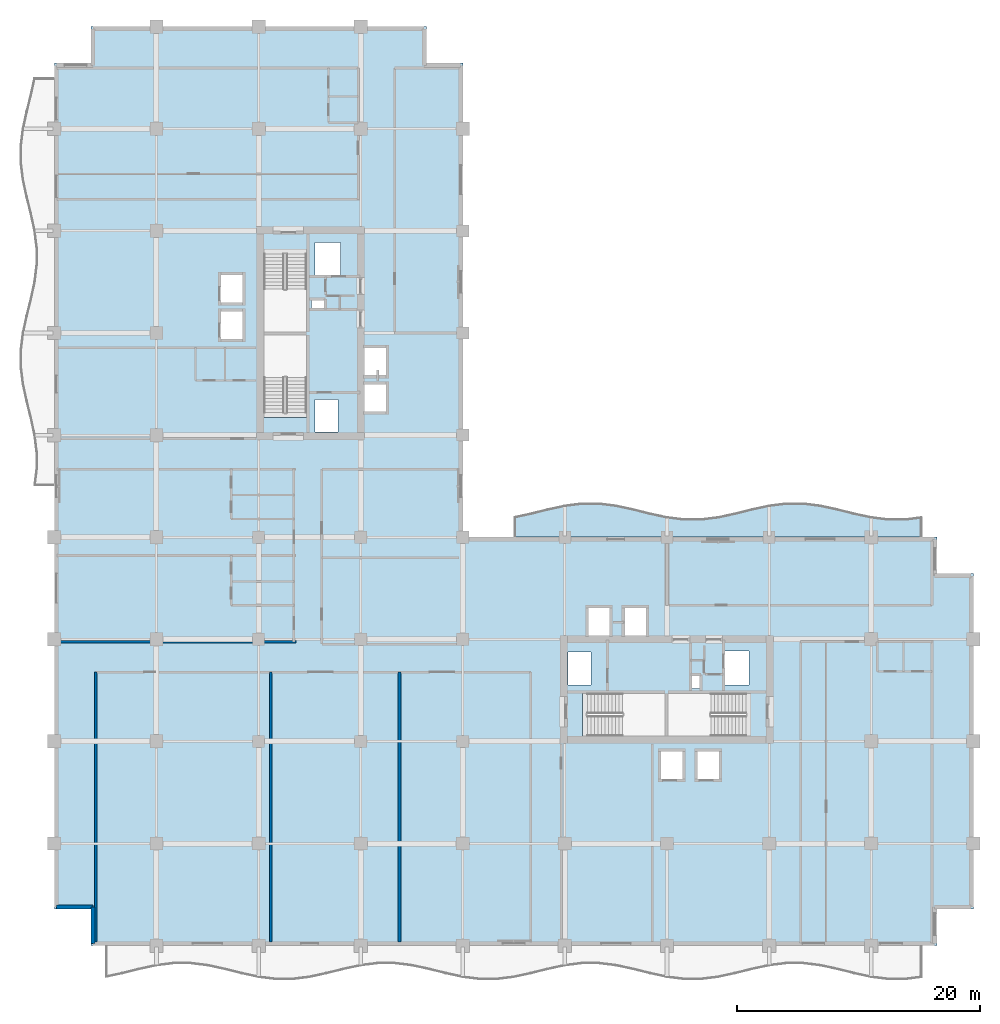
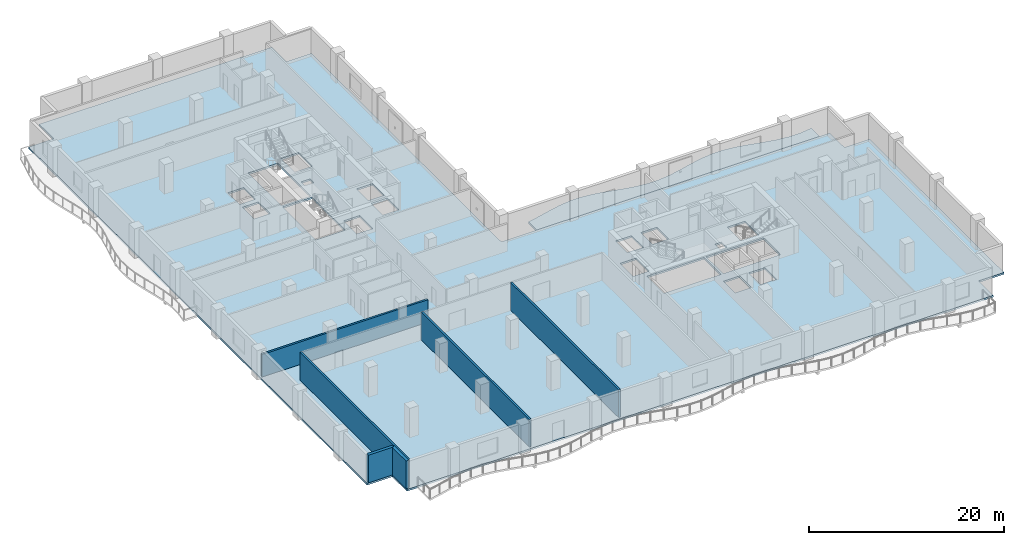
# One storey, part 3 of 15: 6 walls, 2 slabs.
"""IFC4 building model written with IfcOpenShell, lengths in metres."""

from ifc_helpers import new_model, si_unit, direction, frame, frame_2d, origin, place, context, subcontext, project, spatial, polyline, rectangle, outline, extrude, material, layer, layer_set, type_object, element, save


model = new_model("IFC4")

# Units and contexts
model_context = context("Model", 3, precision=1e-05, world=origin(), true_north=direction((0.0, 1.0)))
body_context = subcontext(model_context, "Body", "Model", "MODEL_VIEW")
ifc_project = project(units=[si_unit("LENGTHUNIT", "METRE"), si_unit("AREAUNIT", "SQUARE_METRE"), si_unit("VOLUMEUNIT", "CUBIC_METRE"), si_unit("PLANEANGLEUNIT", "RADIAN"), si_unit("MASSUNIT", "GRAM", prefix="KILO")], contexts=[model_context])

# Site, building, storey
site_placement = place(None, origin())
site = spatial("IfcSite", under=ifc_project, at=site_placement, CompositionType="ELEMENT")
building_placement = place(site_placement, origin())
building = spatial("IfcBuilding", under=site, at=building_placement, Name="Koriwani Terraces Tower", CompositionType="ELEMENT")
storey_placement = place(building_placement, frame((0.0, 0.0, 216.10009765625)))
storey = spatial("IfcBuildingStorey", under=building, at=storey_placement, Name="L53", CompositionType="ELEMENT", Elevation=216.10009765625)

# Slabs
ifc_material_1 = material(Name="Concrete C40/50", Category="concrete")
ifc_layer_1 = layer(ifc_material_1, 0.219970703125, Name="Concrete C40/50")
ifc_layer_set_1 = layer_set([ifc_layer_1], Name="Concrete C40/50")
slab_type_1 = type_object("IfcSlabType", Name="SLAB_BALCONY_220", PredefinedType="FLOOR", material=ifc_layer_set_1)
slab_1_placement = place(storey_placement, frame((0.0, 0.0, -0.22021484375)))
element("IfcSlab", 1, at=slab_1_placement, inside=storey, type_object=slab_type_1, Name="L53 Quilted Circular-Arc Balcony (NE)", PredefinedType="FLOOR", context=body_context, shape_type="SweptSolid", body=[
    extrude(outline(polyline([(71.39990234375, 33.60009765625), (70.0, 33.60009765625), (68.60009765625, 33.60009765625), (67.199951171875, 33.60009765625), (65.800048828125, 33.60009765625), (64.39990234375, 33.60009765625), (63.0, 33.60009765625), (61.60009765625, 33.60009765625), (60.199951171875, 33.60009765625), (58.800048828125, 33.60009765625), (57.39990234375, 33.60009765625), (56.0, 33.60009765625), (54.60009765625, 33.60009765625), (53.199951171875, 33.60009765625), (51.800048828125, 33.60009765625), (50.39990234375, 33.60009765625), (49.0, 33.60009765625), (47.60009765625, 33.60009765625), (46.199951171875, 33.60009765625), (44.800048828125, 33.60009765625), (43.39990234375, 33.60009765625), (42.0, 33.60009765625), (40.60009765625, 33.60009765625), (39.199951171875, 33.60009765625), (37.800048828125, 33.60009765625), (37.800048828125, 35.297607421875), (39.199951171875, 35.600341796875), (40.60009765625, 35.94970703125), (42.0, 36.252197265625), (43.39990234375, 36.427001953125), (44.800048828125, 36.427001953125), (46.199951171875, 36.252197265625), (47.60009765625, 35.94970703125), (49.0, 35.600341796875), (50.39990234375, 35.297607421875), (51.800048828125, 35.123046875), (53.199951171875, 35.123046875), (54.60009765625, 35.297607421875), (56.0, 35.600341796875), (57.39990234375, 35.94970703125), (58.800048828125, 36.252197265625), (60.199951171875, 36.427001953125), (61.60009765625, 36.427001953125), (63.0, 36.252197265625), (64.39990234375, 35.94970703125), (65.800048828125, 35.600341796875), (67.199951171875, 35.297607421875), (68.60009765625, 35.123046875), (70.0, 35.123046875), (71.39990234375, 35.297607421875), (71.39990234375, 33.60009765625)])), origin(), (0.0, 0.0, 1.0), 0.22021484375),
])
ifc_layer_2 = layer(ifc_material_1, 0.22998046875, Name="Concrete C40/50")
ifc_layer_set_2 = layer_set([ifc_layer_2], Name="Concrete C40/50")
slab_type_2 = type_object("IfcSlabType", Name="SLAB_RES_TYP_230", PredefinedType="FLOOR", material=ifc_layer_set_2)
slab_2_placement = place(storey_placement, frame((0.0, 0.0, -0.22998046875)))
element("IfcSlab", 2, at=slab_2_placement, inside=storey, type_object=slab_type_2, Name="L53 Structural Floor Slab", PredefinedType="FLOOR", context=body_context, shape_type="SweptSolid", body=[
    extrude(outline(polyline([(3.0, 0.0), (72.60009765625, 0.0), (72.60009765625, 3.0), (75.60009765625, 3.0), (75.60009765625, 30.60009765625), (72.60009765625, 30.60009765625), (72.60009765625, 33.60009765625), (33.60009765625, 33.60009765625), (33.60009765625, 72.60009765625), (30.60009765625, 72.60009765625), (30.60009765625, 75.60009765625), (3.0, 75.60009765625), (3.0, 72.60009765625), (0.0, 72.60009765625), (0.0, 3.0), (3.0, 3.0), (3.0, 0.0)]), holes=[polyline([(17.25, 43.4599609375), (20.75, 43.4599609375), (20.75, 50.25), (17.25, 50.25), (17.25, 43.4599609375)]), polyline([(17.25, 50.5), (20.75, 50.5), (20.75, 57.2900390625), (17.25, 57.2900390625), (17.25, 50.5)]), polyline([(43.4599609375, 17.25), (50.25, 17.25), (50.25, 20.75), (43.4599609375, 20.75), (43.4599609375, 17.25)]), polyline([(50.5, 17.25), (57.2900390625, 17.25), (57.2900390625, 20.75), (50.5, 20.75), (50.5, 17.25)]), polyline([(13.64990234375, 49.85009765625), (15.550048828125, 49.85009765625), (15.550048828125, 52.25), (13.64990234375, 52.25), (13.64990234375, 49.85009765625)]), polyline([(13.64990234375, 52.85009765625), (15.550048828125, 52.85009765625), (15.550048828125, 55.25), (13.64990234375, 55.25), (13.64990234375, 52.85009765625)]), polyline([(49.85009765625, 13.64990234375), (51.75, 13.64990234375), (51.75, 16.050048828125), (49.85009765625, 16.050048828125), (49.85009765625, 13.64990234375)]), polyline([(52.85009765625, 13.64990234375), (54.75, 13.64990234375), (54.75, 16.050048828125), (52.85009765625, 16.050048828125), (52.85009765625, 13.64990234375)]), polyline([(25.449951171875, 43.85009765625), (27.35009765625, 43.85009765625), (27.35009765625, 46.25), (25.449951171875, 46.25), (25.449951171875, 43.85009765625)]), polyline([(25.449951171875, 46.85009765625), (27.35009765625, 46.85009765625), (27.35009765625, 49.25), (25.449951171875, 49.25), (25.449951171875, 46.85009765625)]), polyline([(43.85009765625, 25.449951171875), (45.75, 25.449951171875), (45.75, 27.85009765625), (43.85009765625, 27.85009765625), (43.85009765625, 25.449951171875)]), polyline([(46.85009765625, 25.449951171875), (48.75, 25.449951171875), (48.75, 27.85009765625), (46.85009765625, 27.85009765625), (46.85009765625, 25.449951171875)]), polyline([(21.449951171875, 55.050048828125), (23.550048828125, 55.050048828125), (23.550048828125, 57.85009765625), (21.449951171875, 57.85009765625), (21.449951171875, 55.050048828125)]), polyline([(55.050048828125, 21.449951171875), (57.14990234375, 21.449951171875), (57.14990234375, 24.25), (55.050048828125, 24.25), (55.050048828125, 21.449951171875)]), polyline([(21.449951171875, 42.25), (23.35009765625, 42.25), (23.35009765625, 44.949951171875), (21.449951171875, 44.949951171875), (21.449951171875, 42.25)]), polyline([(42.25, 21.449951171875), (44.14990234375, 21.449951171875), (44.14990234375, 24.14990234375), (42.25, 24.14990234375), (42.25, 21.449951171875)]), polyline([(21.14990234375, 52.419921875), (22.219970703125, 52.419921875), (22.219970703125, 53.179931640625), (21.14990234375, 53.179931640625), (21.14990234375, 52.419921875)]), polyline([(52.419921875, 21.14990234375), (53.179931640625, 21.14990234375), (53.179931640625, 22.219970703125), (52.419921875, 22.219970703125), (52.419921875, 21.14990234375)])]), origin(), (0.0, 0.0, 1.0), 0.22998046875),
])

# Walls
ifc_material_2 = material(Name="Autoclaved Cellular Concrete Blockwork", Category="masonry")
ifc_layer_3 = layer(ifc_material_2, 0.219970703125, Name="Autoclaved Cellular Concrete Blockwork")
ifc_layer_set_3 = layer_set([ifc_layer_3], Name="Autoclaved Cellular Concrete Blockwork")
wall_type_1 = type_object("IfcWallType", Name="WALL_DEMISING_220", PredefinedType="PARTITIONING", material=ifc_layer_set_3)
for number, where, z_axis, x_axis, name in (
    (3, (3.39990234375, 0.300048828125, 0.0), (0.0, 0.0, 1.0), (0.0, 1.0, 0.0), "L53 Interior Wall WC2CLBW0-L53"),
    (4, (17.800048828125, 0.300048828125, 0.0), (0.0, 0.0, 1.0), (0.0, 1.0, 0.0), "L53 Interior Wall WC2CLBW-L53"),
    (5, (28.39990234375, 0.300048828125, 0.0), (0.0, 0.0, 1.0), (0.0, 1.0, 0.0), "L53 Interior Wall WC2CLBM-L53"),
):
    element("IfcWall", number, at=place(storey_placement, frame(where, z_axis=z_axis, x_axis=x_axis)), inside=storey, type_object=wall_type_1, Name=name, PredefinedType="PARTITIONING", context=body_context, shape_type="SweptSolid", body=[
        extrude(rectangle(XDim=22.199951171875, YDim=0.219970703125, at=frame_2d((11.10009765625, 0.0))), origin(), (0.0, 0.0, 1.0), 3.469970703125),
    ])
wall_placement = place(storey_placement, frame((0.199951171875, 25.0, 0.0), z_axis=(0.0, 0.0, 1.0), x_axis=(1.0, 0.0, 0.0)))
element("IfcWall", 6, at=wall_placement, inside=storey, type_object=wall_type_1, Name="L53 Interior Wall WRDEM-L53-NW-0", PredefinedType="PARTITIONING", context=body_context, shape_type="SweptSolid", body=[
    extrude(rectangle(XDim=19.679931640625, YDim=0.219970703125, at=frame_2d((9.83984375, 0.0))), origin(), (0.0, 0.0, 1.0), 2.81982421875),
])
ifc_material_3 = material(Name="Concrete C50/60", Category="concrete")
ifc_layer_4 = layer(ifc_material_3, 0.35009765625, Name="Concrete C50/60")
ifc_layer_set_4 = layer_set([ifc_layer_4], Name="Concrete C50/60")
wall_type_2 = type_object("IfcWallType", Name="WALL_EXT_BRUTALIST_350", PredefinedType="STANDARD", material=ifc_layer_set_4)
for number, where, z_axis, x_axis, name in (
    (7, (3.175048828125, 0.175048828125, 0.0), (0.0, 0.0, 1.0), (0.0, 1.0, 0.0), "L53 Fair-Faced Brutalist Exterior Wall (N0)"),
    (8, (3.175048828125, 3.175048828125, 0.0), (0.0, 0.0, 1.0), (-1.0, 0.0, 0.0), "L53 Fair-Faced Brutalist Exterior Wall (N1)"),
):
    element("IfcWall", number, at=place(storey_placement, frame(where, z_axis=z_axis, x_axis=x_axis)), inside=storey, type_object=wall_type_2, Name=name, PredefinedType="STANDARD", context=body_context, shape_type="SweptSolid", body=[
        extrude(rectangle(XDim=3.0, YDim=0.35009765625, at=frame_2d((1.5, 0.0))), origin(), (0.0, 0.0, 1.0), 3.469970703125),
    ])

save(model, "model.ifc")
